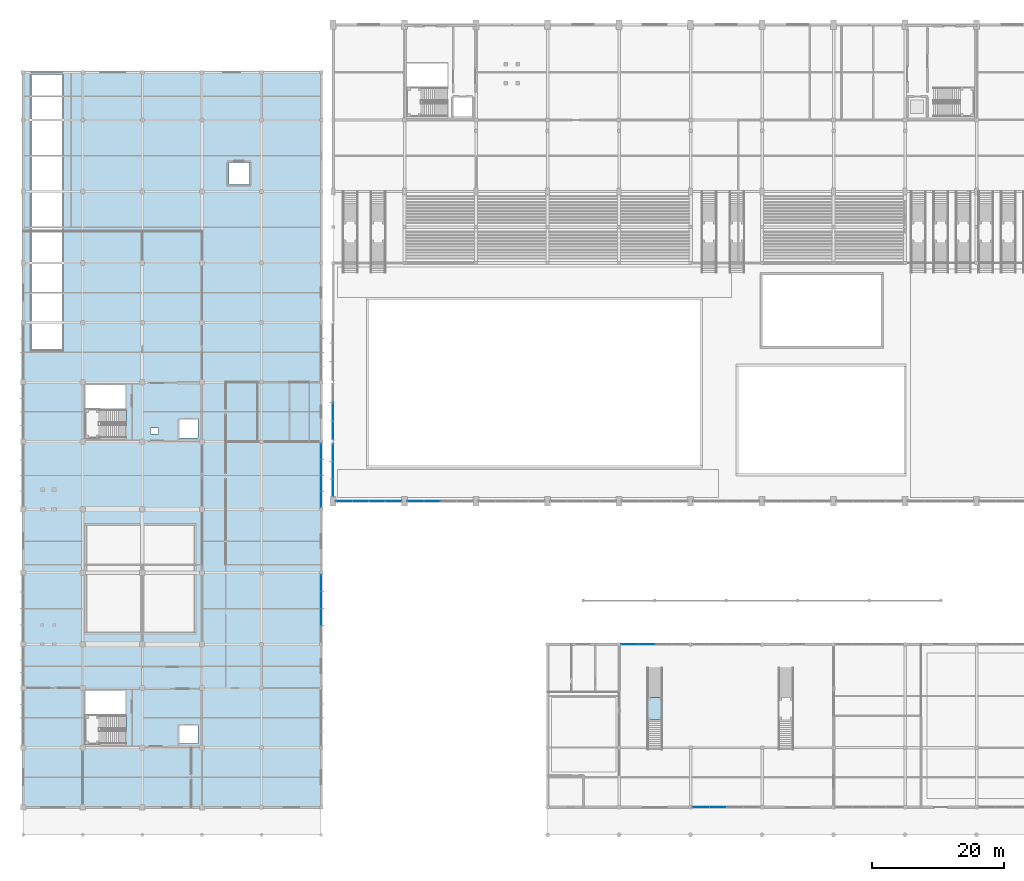
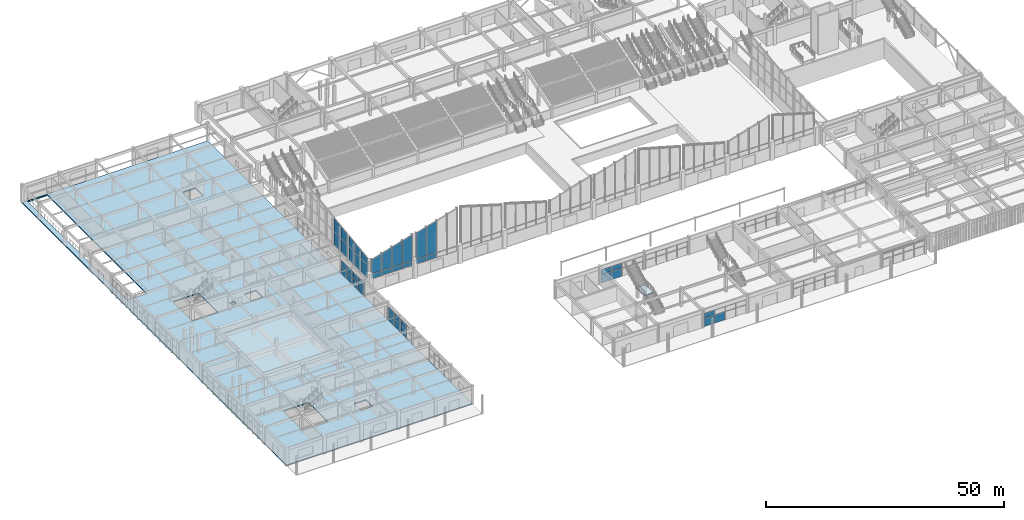
# One storey, part 40 of 82: 43 plates, 2 slabs, 9 elements without a shape of their own.
"""IFC4 building model written with IfcOpenShell, lengths in metres."""

from ifc_helpers import new_model, si_unit, direction, frame, origin, place, context, subcontext, project, spatial, polyline, outline, extrude, material, layer, layer_set, type_object, element, aggregate, save


model = new_model("IFC4")

# Units and contexts
model_context = context("Model", 3, precision=1e-05, world=origin(), true_north=direction((0.0, 1.0)))
body_context = subcontext(model_context, "Body", "Model", "MODEL_VIEW")
ifc_project = project(units=[si_unit("LENGTHUNIT", "METRE"), si_unit("AREAUNIT", "SQUARE_METRE"), si_unit("VOLUMEUNIT", "CUBIC_METRE"), si_unit("PLANEANGLEUNIT", "RADIAN"), si_unit("MASSUNIT", "GRAM", prefix="KILO")], contexts=[model_context])

# Site, building, storey
site_placement = place(None, origin())
site = spatial("IfcSite", under=ifc_project, at=site_placement, CompositionType="ELEMENT")
building_placement = place(site_placement, origin())
building = spatial("IfcBuilding", under=site, at=building_placement, Name="Suirenkawa Promenade Aquatics Centre", CompositionType="ELEMENT")
storey_placement = place(building_placement, origin())
storey = spatial("IfcBuildingStorey", under=building, at=storey_placement, Name="L00", CompositionType="ELEMENT", Elevation=0.0)

# Curtain wall, plates
ifc_material_1 = material(Name="Anodised aluminium 6063-T6", Category="aluminium")
curtain_wall_type_1 = type_object("IfcCurtainWallType", Name="CWAT-CLERS-05", PredefinedType="NOTDEFINED", material=ifc_material_1)
curtain_wall_1_placement = place(storey_placement, origin())
curtain_wall_1 = element("IfcCurtainWall", 1, at=curtain_wall_1_placement, inside=storey, type_object=curtain_wall_type_1, Name="Curtain wall CWA-05 CW-009", PredefinedType="NOTDEFINED")
ifc_material_2 = material(Name="Ceramic-fritted low-SHGC double glazing", Category="glass")
ifc_layer_1 = layer(ifc_material_2, 0.031982421875, Name="Ceramic-fritted low-SHGC double glazing", Category="glass")
ifc_layer_set_1 = layer_set([ifc_layer_1], Name="Ceramic-fritted low-SHGC double glazing")
plate_type_1 = type_object("IfcPlateType", Name="CWP-CLER-32", PredefinedType="CURTAIN_PANEL", material=ifc_layer_set_1)
plate_1_placement = place(storey_placement, frame((57.15087890625, 50.39990234375, 3.139892578125), z_axis=(0.0, 0.0, 1.0), x_axis=(-1.0, 0.0, 0.0)))
plate_1 = element("IfcPlate", 2, at=plate_1_placement, type_object=plate_type_1, Name="Glazed panel CP-03 CWP-00220", PredefinedType="CURTAIN_PANEL", context=body_context, shape_type="SweptSolid", body=[
    extrude(outline(polyline([(0.0400390625, 0.0), (2.435546875, 0.0), (2.435546875, 1.22021484375), (0.0400390625, 1.22021484375), (0.0400390625, 0.0)])), frame((0.0, 0.01611328125, 0.0), z_axis=(0.0, -1.0, 0.0), x_axis=(1.0, 0.0, 0.0)), (0.0, 0.0, 1.0), 0.031982421875),
])
plate_2_placement = place(storey_placement, frame((57.15087890625, 50.39990234375, 4.43994140625), z_axis=(0.0, 0.0, 1.0), x_axis=(-1.0, 0.0, 0.0)))
plate_2 = element("IfcPlate", 3, at=plate_2_placement, type_object=plate_type_1, Name="Top glazed panel CP-03 CWP-00221", PredefinedType="CURTAIN_PANEL", context=body_context, shape_type="SweptSolid", body=[
    extrude(outline(polyline([(0.0400390625, 0.0), (2.435546875, 0.0), (2.435546875, 5.820068359375), (0.0400390625, 6.570068359375), (0.0400390625, 0.0)])), frame((0.0, 0.01611328125, 0.0), z_axis=(0.0, -1.0, 0.0), x_axis=(1.0, 0.0, 0.0)), (0.0, 0.0, 1.0), 0.031982421875),
])
plate_3_placement = place(storey_placement, frame((54.675537109375, 50.39990234375, 3.139892578125), z_axis=(0.0, 0.0, 1.0), x_axis=(-1.0, 0.0, 0.0)))
plate_3 = element("IfcPlate", 4, at=plate_3_placement, type_object=plate_type_1, Name="Glazed panel CP-03 CWP-00222", PredefinedType="CURTAIN_PANEL", context=body_context, shape_type="SweptSolid", body=[
    extrude(outline(polyline([(0.0400390625, 0.0), (2.435546875, 0.0), (2.435546875, 1.22021484375), (0.0400390625, 1.22021484375), (0.0400390625, 0.0)])), frame((0.0, 0.01611328125, 0.0), z_axis=(0.0, -1.0, 0.0), x_axis=(1.0, 0.0, 0.0)), (0.0, 0.0, 1.0), 0.031982421875),
])
plate_4_placement = place(storey_placement, frame((54.675537109375, 50.39990234375, 4.43994140625), z_axis=(0.0, 0.0, 1.0), x_axis=(-1.0, 0.0, 0.0)))
plate_4 = element("IfcPlate", 5, at=plate_4_placement, type_object=plate_type_1, Name="Top glazed panel CP-03 CWP-00223", PredefinedType="CURTAIN_PANEL", context=body_context, shape_type="SweptSolid", body=[
    extrude(outline(polyline([(0.0400390625, 0.0), (2.435546875, 0.0), (2.435546875, 5.070068359375), (0.0400390625, 5.820068359375), (0.0400390625, 0.0)])), frame((0.0, 0.01611328125, 0.0), z_axis=(0.0, -1.0, 0.0), x_axis=(1.0, 0.0, 0.0)), (0.0, 0.0, 1.0), 0.031982421875),
])
plate_5_placement = place(storey_placement, frame((52.199951171875, 50.39990234375, 3.139892578125), z_axis=(0.0, 0.0, 1.0), x_axis=(-1.0, 0.0, 0.0)))
plate_5 = element("IfcPlate", 6, at=plate_5_placement, type_object=plate_type_1, Name="Glazed panel CP-03 CWP-00224", PredefinedType="CURTAIN_PANEL", context=body_context, shape_type="SweptSolid", body=[
    extrude(outline(polyline([(0.0400390625, 0.0), (2.435546875, 0.0), (2.435546875, 1.22021484375), (0.0400390625, 1.22021484375), (0.0400390625, 0.0)])), frame((0.0, 0.01611328125, 0.0), z_axis=(0.0, -1.0, 0.0), x_axis=(1.0, 0.0, 0.0)), (0.0, 0.0, 1.0), 0.031982421875),
])
plate_6_placement = place(storey_placement, frame((52.199951171875, 50.39990234375, 4.43994140625), z_axis=(0.0, 0.0, 1.0), x_axis=(-1.0, 0.0, 0.0)))
plate_6 = element("IfcPlate", 7, at=plate_6_placement, type_object=plate_type_1, Name="Top glazed panel CP-03 CWP-00225", PredefinedType="CURTAIN_PANEL", context=body_context, shape_type="SweptSolid", body=[
    extrude(outline(polyline([(0.0400390625, 0.0), (2.435546875, 0.0), (2.435546875, 4.320068359375), (0.0400390625, 5.070068359375), (0.0400390625, 0.0)])), frame((0.0, 0.01611328125, 0.0), z_axis=(0.0, -1.0, 0.0), x_axis=(1.0, 0.0, 0.0)), (0.0, 0.0, 1.0), 0.031982421875),
])
plate_7_placement = place(storey_placement, frame((49.724609375, 50.39990234375, 3.139892578125), z_axis=(0.0, 0.0, 1.0), x_axis=(-1.0, 0.0, 0.0)))
plate_7 = element("IfcPlate", 8, at=plate_7_placement, type_object=plate_type_1, Name="Glazed panel CP-03 CWP-00226", PredefinedType="CURTAIN_PANEL", context=body_context, shape_type="SweptSolid", body=[
    extrude(outline(polyline([(0.0400390625, 0.0), (2.435546875, 0.0), (2.435546875, 1.22021484375), (0.0400390625, 1.22021484375), (0.0400390625, 0.0)])), frame((0.0, 0.01611328125, 0.0), z_axis=(0.0, -1.0, 0.0), x_axis=(1.0, 0.0, 0.0)), (0.0, 0.0, 1.0), 0.031982421875),
])
plate_8_placement = place(storey_placement, frame((49.724609375, 50.39990234375, 4.43994140625), z_axis=(0.0, 0.0, 1.0), x_axis=(-1.0, 0.0, 0.0)))
plate_8 = element("IfcPlate", 9, at=plate_8_placement, type_object=plate_type_1, Name="Top glazed panel CP-03 CWP-00227", PredefinedType="CURTAIN_PANEL", context=body_context, shape_type="SweptSolid", body=[
    extrude(outline(polyline([(0.0400390625, 0.0), (2.435546875, 0.0), (2.435546875, 3.570068359375), (0.0400390625, 4.320068359375), (0.0400390625, 0.0)])), frame((0.0, 0.01611328125, 0.0), z_axis=(0.0, -1.0, 0.0), x_axis=(1.0, 0.0, 0.0)), (0.0, 0.0, 1.0), 0.031982421875),
])
aggregate(curtain_wall_1, [plate_1, plate_2, plate_3, plate_4, plate_5, plate_6, plate_7, plate_8])

curtain_wall_type_2 = type_object("IfcCurtainWallType", Name="CWAT-CLERS-08", PredefinedType="NOTDEFINED", material=ifc_material_1)
curtain_wall_2_placement = place(storey_placement, origin())
curtain_wall_2 = element("IfcCurtainWall", 10, at=curtain_wall_2_placement, inside=storey, type_object=curtain_wall_type_2, Name="Curtain wall CWA-08 CW-012", PredefinedType="NOTDEFINED")
plate_9_placement = place(storey_placement, frame((63.0, 50.39990234375, 3.139892578125), z_axis=(0.0, 0.0, 1.0), x_axis=(-1.0, 0.0, 0.0)))
plate_9 = element("IfcPlate", 11, at=plate_9_placement, type_object=plate_type_1, Name="Glazed panel CP-03 CWP-00284", PredefinedType="CURTAIN_PANEL", context=body_context, shape_type="SweptSolid", body=[
    extrude(outline(polyline([(0.0400390625, 0.0), (2.435546875, 0.0), (2.435546875, 1.22021484375), (0.0400390625, 1.22021484375), (0.0400390625, 0.0)])), frame((0.0, 0.01611328125, 0.0), z_axis=(0.0, -1.0, 0.0), x_axis=(1.0, 0.0, 0.0)), (0.0, 0.0, 1.0), 0.031982421875),
])
plate_10_placement = place(storey_placement, frame((63.0, 50.39990234375, 4.43994140625), z_axis=(0.0, 0.0, 1.0), x_axis=(-1.0, 0.0, 0.0)))
plate_10 = element("IfcPlate", 12, at=plate_10_placement, type_object=plate_type_1, Name="Top glazed panel CP-03 CWP-00285", PredefinedType="CURTAIN_PANEL", context=body_context, shape_type="SweptSolid", body=[
    extrude(outline(polyline([(0.0400390625, 0.0), (2.435546875, 0.0), (2.435546875, 7.320068359375), (0.0400390625, 8.070068359375), (0.0400390625, 0.0)])), frame((0.0, 0.01611328125, 0.0), z_axis=(0.0, -1.0, 0.0), x_axis=(1.0, 0.0, 0.0)), (0.0, 0.0, 1.0), 0.031982421875),
])
plate_11_placement = place(storey_placement, frame((60.5244140625, 50.39990234375, 3.139892578125), z_axis=(0.0, 0.0, 1.0), x_axis=(-1.0, 0.0, 0.0)))
plate_11 = element("IfcPlate", 13, at=plate_11_placement, type_object=plate_type_1, Name="Glazed panel CP-03 CWP-00286", PredefinedType="CURTAIN_PANEL", context=body_context, shape_type="SweptSolid", body=[
    extrude(outline(polyline([(0.0400390625, 0.0), (2.435546875, 0.0), (2.435546875, 1.22021484375), (0.0400390625, 1.22021484375), (0.0400390625, 0.0)])), frame((0.0, 0.01611328125, 0.0), z_axis=(0.0, -1.0, 0.0), x_axis=(1.0, 0.0, 0.0)), (0.0, 0.0, 1.0), 0.031982421875),
])
plate_12_placement = place(storey_placement, frame((60.5244140625, 50.39990234375, 4.43994140625), z_axis=(0.0, 0.0, 1.0), x_axis=(-1.0, 0.0, 0.0)))
plate_12 = element("IfcPlate", 14, at=plate_12_placement, type_object=plate_type_1, Name="Top glazed panel CP-03 CWP-00287", PredefinedType="CURTAIN_PANEL", context=body_context, shape_type="SweptSolid", body=[
    extrude(outline(polyline([(0.0400390625, 0.0), (2.435546875, 0.0), (2.435546875, 6.570068359375), (0.0400390625, 7.320068359375), (0.0400390625, 0.0)])), frame((0.0, 0.01611328125, 0.0), z_axis=(0.0, -1.0, 0.0), x_axis=(1.0, 0.0, 0.0)), (0.0, 0.0, 1.0), 0.031982421875),
])
aggregate(curtain_wall_2, [plate_9, plate_10, plate_11, plate_12])

curtain_wall_type_3 = type_object("IfcCurtainWallType", Name="CWAT-V3NL0-26", PredefinedType="NOTDEFINED", material=ifc_material_1)
curtain_wall_3_placement = place(storey_placement, origin())
curtain_wall_3 = element("IfcCurtainWall", 15, at=curtain_wall_3_placement, inside=storey, type_object=curtain_wall_type_3, Name="Curtain wall CWA-26 CW-058", PredefinedType="NOTDEFINED")
ifc_material_3 = material(Name="Low-E thermally broken double glazing", Category="glass")
ifc_layer_2 = layer(ifc_material_3, 0.0419921875, Name="Low-E thermally broken double glazing", Category="glass")
ifc_layer_set_2 = layer_set([ifc_layer_2], Name="Low-E thermally broken double glazing")
plate_type_2 = type_object("IfcPlateType", Name="CWP-FOYER-42", PredefinedType="CURTAIN_PANEL", material=ifc_layer_set_2)
plate_13_placement = place(storey_placement, frame((90.299072265625, 28.800048828125, 0.0400390625), z_axis=(0.0, 0.0, 1.0), x_axis=(1.0, 0.0, 0.0)))
plate_13 = element("IfcPlate", 16, at=plate_13_placement, type_object=plate_type_2, Name="Glazed panel CP-04 CWP-01159", PredefinedType="CURTAIN_PANEL", context=body_context, shape_type="SweptSolid", body=[
    extrude(outline(polyline([(0.0400390625, 0.0), (2.510498046875, 0.0), (2.510498046875, 2.119873046875), (0.0400390625, 2.119873046875), (0.0400390625, 0.0)])), frame((0.0, 0.02099609375, 0.0), z_axis=(0.0, -1.0, 0.0), x_axis=(1.0, 0.0, 0.0)), (0.0, 0.0, 1.0), 0.0419921875),
])
plate_14_placement = place(storey_placement, frame((90.299072265625, 28.800048828125, 2.239990234375), z_axis=(0.0, 0.0, 1.0), x_axis=(1.0, 0.0, 0.0)))
plate_14 = element("IfcPlate", 17, at=plate_14_placement, type_object=plate_type_2, Name="Top glazed panel CP-04 CWP-01160", PredefinedType="CURTAIN_PANEL", context=body_context, shape_type="SweptSolid", body=[
    extrude(outline(polyline([(0.0400390625, 0.0), (2.510498046875, 0.0), (2.510498046875, 1.239990234375), (0.0400390625, 1.239990234375), (0.0400390625, 0.0)])), frame((0.0, 0.02099609375, 0.0), z_axis=(0.0, -1.0, 0.0), x_axis=(1.0, 0.0, 0.0)), (0.0, 0.0, 1.0), 0.0419921875),
])
plate_15_placement = place(storey_placement, frame((92.849609375, 28.800048828125, 0.0400390625), z_axis=(0.0, 0.0, 1.0), x_axis=(1.0, 0.0, 0.0)))
plate_15 = element("IfcPlate", 18, at=plate_15_placement, type_object=plate_type_2, Name="Glazed panel CP-04 CWP-01161", PredefinedType="CURTAIN_PANEL", context=body_context, shape_type="SweptSolid", body=[
    extrude(outline(polyline([(0.0400390625, 0.0), (2.510498046875, 0.0), (2.510498046875, 2.119873046875), (0.0400390625, 2.119873046875), (0.0400390625, 0.0)])), frame((0.0, 0.02099609375, 0.0), z_axis=(0.0, -1.0, 0.0), x_axis=(1.0, 0.0, 0.0)), (0.0, 0.0, 1.0), 0.0419921875),
])
plate_16_placement = place(storey_placement, frame((92.849609375, 28.800048828125, 2.239990234375), z_axis=(0.0, 0.0, 1.0), x_axis=(1.0, 0.0, 0.0)))
plate_16 = element("IfcPlate", 19, at=plate_16_placement, type_object=plate_type_2, Name="Top glazed panel CP-04 CWP-01162", PredefinedType="CURTAIN_PANEL", context=body_context, shape_type="SweptSolid", body=[
    extrude(outline(polyline([(0.0400390625, 0.0), (2.510498046875, 0.0), (2.510498046875, 1.239990234375), (0.0400390625, 1.239990234375), (0.0400390625, 0.0)])), frame((0.0, 0.02099609375, 0.0), z_axis=(0.0, -1.0, 0.0), x_axis=(1.0, 0.0, 0.0)), (0.0, 0.0, 1.0), 0.0419921875),
])
aggregate(curtain_wall_3, [plate_13, plate_14, plate_15, plate_16])

curtain_wall_type_4 = type_object("IfcCurtainWallType", Name="CWAT-V3SL0-27", PredefinedType="NOTDEFINED", material=ifc_material_1)
curtain_wall_4_placement = place(storey_placement, origin())
curtain_wall_4 = element("IfcCurtainWall", 20, at=curtain_wall_4_placement, inside=storey, type_object=curtain_wall_type_4, Name="Curtain wall CWA-27 CW-061", PredefinedType="NOTDEFINED")
plate_17_placement = place(storey_placement, frame((106.199951171875, 4.199951171875, 0.0400390625), z_axis=(0.0, 0.0, 1.0), x_axis=(-1.0, 0.0, 0.0)))
plate_17 = element("IfcPlate", 21, at=plate_17_placement, type_object=plate_type_2, Name="Glazed panel CP-04 CWP-01229", PredefinedType="CURTAIN_PANEL", context=body_context, shape_type="SweptSolid", body=[
    extrude(outline(polyline([(0.0400390625, 0.0), (2.510498046875, 0.0), (2.510498046875, 2.119873046875), (0.0400390625, 2.119873046875), (0.0400390625, 0.0)])), frame((0.0, 0.02099609375, 0.0), z_axis=(0.0, -1.0, 0.0), x_axis=(1.0, 0.0, 0.0)), (0.0, 0.0, 1.0), 0.0419921875),
])
plate_18_placement = place(storey_placement, frame((103.6494140625, 4.199951171875, 0.0400390625), z_axis=(0.0, 0.0, 1.0), x_axis=(-1.0, 0.0, 0.0)))
plate_18 = element("IfcPlate", 22, at=plate_18_placement, type_object=plate_type_2, Name="Glazed panel CP-04 CWP-01231", PredefinedType="CURTAIN_PANEL", context=body_context, shape_type="SweptSolid", body=[
    extrude(outline(polyline([(0.0400390625, 0.0), (2.510498046875, 0.0), (2.510498046875, 2.119873046875), (0.0400390625, 2.119873046875), (0.0400390625, 0.0)])), frame((0.0, 0.02099609375, 0.0), z_axis=(0.0, -1.0, 0.0), x_axis=(1.0, 0.0, 0.0)), (0.0, 0.0, 1.0), 0.0419921875),
])
plate_19_placement = place(storey_placement, frame((103.6494140625, 4.199951171875, 2.239990234375), z_axis=(0.0, 0.0, 1.0), x_axis=(-1.0, 0.0, 0.0)))
plate_19 = element("IfcPlate", 23, at=plate_19_placement, type_object=plate_type_2, Name="Top glazed panel CP-04 CWP-01232", PredefinedType="CURTAIN_PANEL", context=body_context, shape_type="SweptSolid", body=[
    extrude(outline(polyline([(0.0400390625, 0.0), (2.510498046875, 0.0), (2.510498046875, 1.239990234375), (0.0400390625, 1.239990234375), (0.0400390625, 0.0)])), frame((0.0, 0.02099609375, 0.0), z_axis=(0.0, -1.0, 0.0), x_axis=(1.0, 0.0, 0.0)), (0.0, 0.0, 1.0), 0.0419921875),
])
aggregate(curtain_wall_4, [plate_17, plate_18, plate_19])

curtain_wall_type_5 = type_object("IfcCurtainWallType", Name="CWAT-V5EL00-46", PredefinedType="NOTDEFINED", material=ifc_material_1)
curtain_wall_5_placement = place(storey_placement, origin())
curtain_wall_5 = element("IfcCurtainWall", 24, at=curtain_wall_5_placement, inside=storey, type_object=curtain_wall_type_5, Name="Curtain wall CWA-46 CW-089", PredefinedType="NOTDEFINED")
ifc_layer_3 = layer(ifc_material_3, 0.028076171875, Name="Low-E thermally broken double glazing", Category="glass")
ifc_layer_set_3 = layer_set([ifc_layer_3], Name="Low-E thermally broken double glazing")
plate_type_3 = type_object("IfcPlateType", Name="CWP-LOWE-28", PredefinedType="CURTAIN_PANEL", material=ifc_layer_set_3)
plate_20_placement = place(storey_placement, frame((45.0, 39.301025390625, 0.0400390625), z_axis=(0.0, 0.0, 1.0), x_axis=(0.0, -1.0, 0.0)))
plate_20 = element("IfcPlate", 25, at=plate_20_placement, type_object=plate_type_3, Name="Glazed panel CP-02 CWP-01766", PredefinedType="CURTAIN_PANEL", context=body_context, shape_type="SweptSolid", body=[
    extrude(outline(polyline([(0.0400390625, 0.0), (2.510498046875, 0.0), (2.510498046875, 1.869873046875), (0.0400390625, 1.869873046875), (0.0400390625, 0.0)])), frame((0.0, 0.01416015625, 0.0), z_axis=(0.0, -1.0, 0.0), x_axis=(1.0, 0.0, 0.0)), (0.0, 0.0, 1.0), 0.028076171875),
])
plate_21_placement = place(storey_placement, frame((45.0, 39.301025390625, 1.989990234375), z_axis=(0.0, 0.0, 1.0), x_axis=(0.0, -1.0, 0.0)))
plate_21 = element("IfcPlate", 26, at=plate_21_placement, type_object=plate_type_3, Name="Top glazed panel CP-02 CWP-01767", PredefinedType="CURTAIN_PANEL", context=body_context, shape_type="SweptSolid", body=[
    extrude(outline(polyline([(0.0400390625, 0.0), (2.510498046875, 0.0), (2.510498046875, 1.5400390625), (0.0400390625, 1.5400390625), (0.0400390625, 0.0)])), frame((0.0, 0.01416015625, 0.0), z_axis=(0.0, -1.0, 0.0), x_axis=(1.0, 0.0, 0.0)), (0.0, 0.0, 1.0), 0.028076171875),
])
plate_22_placement = place(storey_placement, frame((45.0, 36.75048828125, 0.0400390625), z_axis=(0.0, 0.0, 1.0), x_axis=(0.0, -1.0, 0.0)))
plate_22 = element("IfcPlate", 27, at=plate_22_placement, type_object=plate_type_3, Name="Glazed panel CP-02 CWP-01768", PredefinedType="CURTAIN_PANEL", context=body_context, shape_type="SweptSolid", body=[
    extrude(outline(polyline([(0.0400390625, 0.0), (2.510498046875, 0.0), (2.510498046875, 1.869873046875), (0.0400390625, 1.869873046875), (0.0400390625, 0.0)])), frame((0.0, 0.01416015625, 0.0), z_axis=(0.0, -1.0, 0.0), x_axis=(1.0, 0.0, 0.0)), (0.0, 0.0, 1.0), 0.028076171875),
])
plate_23_placement = place(storey_placement, frame((45.0, 36.75048828125, 1.989990234375), z_axis=(0.0, 0.0, 1.0), x_axis=(0.0, -1.0, 0.0)))
plate_23 = element("IfcPlate", 28, at=plate_23_placement, type_object=plate_type_3, Name="Top glazed panel CP-02 CWP-01769", PredefinedType="CURTAIN_PANEL", context=body_context, shape_type="SweptSolid", body=[
    extrude(outline(polyline([(0.0400390625, 0.0), (2.510498046875, 0.0), (2.510498046875, 1.5400390625), (0.0400390625, 1.5400390625), (0.0400390625, 0.0)])), frame((0.0, 0.01416015625, 0.0), z_axis=(0.0, -1.0, 0.0), x_axis=(1.0, 0.0, 0.0)), (0.0, 0.0, 1.0), 0.028076171875),
])
plate_24_placement = place(storey_placement, frame((45.0, 34.199951171875, 0.0400390625), z_axis=(0.0, 0.0, 1.0), x_axis=(0.0, -1.0, 0.0)))
plate_24 = element("IfcPlate", 29, at=plate_24_placement, type_object=plate_type_3, Name="Glazed panel CP-02 CWP-01770", PredefinedType="CURTAIN_PANEL", context=body_context, shape_type="SweptSolid", body=[
    extrude(outline(polyline([(0.0400390625, 0.0), (2.510498046875, 0.0), (2.510498046875, 1.869873046875), (0.0400390625, 1.869873046875), (0.0400390625, 0.0)])), frame((0.0, 0.01416015625, 0.0), z_axis=(0.0, -1.0, 0.0), x_axis=(1.0, 0.0, 0.0)), (0.0, 0.0, 1.0), 0.028076171875),
])
plate_25_placement = place(storey_placement, frame((45.0, 34.199951171875, 1.989990234375), z_axis=(0.0, 0.0, 1.0), x_axis=(0.0, -1.0, 0.0)))
plate_25 = element("IfcPlate", 30, at=plate_25_placement, type_object=plate_type_3, Name="Top glazed panel CP-02 CWP-01771", PredefinedType="CURTAIN_PANEL", context=body_context, shape_type="SweptSolid", body=[
    extrude(outline(polyline([(0.0400390625, 0.0), (2.510498046875, 0.0), (2.510498046875, 1.5400390625), (0.0400390625, 1.5400390625), (0.0400390625, 0.0)])), frame((0.0, 0.01416015625, 0.0), z_axis=(0.0, -1.0, 0.0), x_axis=(1.0, 0.0, 0.0)), (0.0, 0.0, 1.0), 0.028076171875),
])
aggregate(curtain_wall_5, [plate_20, plate_21, plate_22, plate_23, plate_24, plate_25])

curtain_wall_type_6 = type_object("IfcCurtainWallType", Name="CWAT-V5EL00-48", PredefinedType="NOTDEFINED", material=ifc_material_1)
curtain_wall_6_placement = place(storey_placement, origin())
curtain_wall_6 = element("IfcCurtainWall", 31, at=curtain_wall_6_placement, inside=storey, type_object=curtain_wall_type_6, Name="Curtain wall CWA-48 CW-091", PredefinedType="NOTDEFINED")
plate_26_placement = place(storey_placement, frame((45.0, 59.10107421875, 0.0400390625), z_axis=(0.0, 0.0, 1.0), x_axis=(0.0, -1.0, 0.0)))
plate_26 = element("IfcPlate", 32, at=plate_26_placement, type_object=plate_type_3, Name="Glazed panel CP-02 CWP-01810", PredefinedType="CURTAIN_PANEL", context=body_context, shape_type="SweptSolid", body=[
    extrude(outline(polyline([(0.0400390625, 0.0), (2.360595703125, 0.0), (2.360595703125, 1.869873046875), (0.0400390625, 1.869873046875), (0.0400390625, 0.0)])), frame((0.0, 0.01416015625, 0.0), z_axis=(0.0, -1.0, 0.0), x_axis=(1.0, 0.0, 0.0)), (0.0, 0.0, 1.0), 0.028076171875),
])
plate_27_placement = place(storey_placement, frame((45.0, 59.10107421875, 1.989990234375), z_axis=(0.0, 0.0, 1.0), x_axis=(0.0, -1.0, 0.0)))
plate_27 = element("IfcPlate", 33, at=plate_27_placement, type_object=plate_type_3, Name="Top glazed panel CP-02 CWP-01811", PredefinedType="CURTAIN_PANEL", context=body_context, shape_type="SweptSolid", body=[
    extrude(outline(polyline([(0.0400390625, 0.0), (2.360595703125, 0.0), (2.360595703125, 1.5400390625), (0.0400390625, 1.5400390625), (0.0400390625, 0.0)])), frame((0.0, 0.01416015625, 0.0), z_axis=(0.0, -1.0, 0.0), x_axis=(1.0, 0.0, 0.0)), (0.0, 0.0, 1.0), 0.028076171875),
])
plate_28_placement = place(storey_placement, frame((45.0, 56.700439453125, 0.0400390625), z_axis=(0.0, 0.0, 1.0), x_axis=(0.0, -1.0, 0.0)))
plate_28 = element("IfcPlate", 34, at=plate_28_placement, type_object=plate_type_3, Name="Glazed panel CP-02 CWP-01812", PredefinedType="CURTAIN_PANEL", context=body_context, shape_type="SweptSolid", body=[
    extrude(outline(polyline([(0.0400390625, 0.0), (2.360595703125, 0.0), (2.360595703125, 1.869873046875), (0.0400390625, 1.869873046875), (0.0400390625, 0.0)])), frame((0.0, 0.01416015625, 0.0), z_axis=(0.0, -1.0, 0.0), x_axis=(1.0, 0.0, 0.0)), (0.0, 0.0, 1.0), 0.028076171875),
])
plate_29_placement = place(storey_placement, frame((45.0, 56.700439453125, 1.989990234375), z_axis=(0.0, 0.0, 1.0), x_axis=(0.0, -1.0, 0.0)))
plate_29 = element("IfcPlate", 35, at=plate_29_placement, type_object=plate_type_3, Name="Top glazed panel CP-02 CWP-01813", PredefinedType="CURTAIN_PANEL", context=body_context, shape_type="SweptSolid", body=[
    extrude(outline(polyline([(0.0400390625, 0.0), (2.360595703125, 0.0), (2.360595703125, 1.5400390625), (0.0400390625, 1.5400390625), (0.0400390625, 0.0)])), frame((0.0, 0.01416015625, 0.0), z_axis=(0.0, -1.0, 0.0), x_axis=(1.0, 0.0, 0.0)), (0.0, 0.0, 1.0), 0.028076171875),
])
plate_30_placement = place(storey_placement, frame((45.0, 54.300048828125, 0.0400390625), z_axis=(0.0, 0.0, 1.0), x_axis=(0.0, -1.0, 0.0)))
plate_30 = element("IfcPlate", 36, at=plate_30_placement, type_object=plate_type_3, Name="Glazed panel CP-02 CWP-01814", PredefinedType="CURTAIN_PANEL", context=body_context, shape_type="SweptSolid", body=[
    extrude(outline(polyline([(0.0400390625, 0.0), (2.360595703125, 0.0), (2.360595703125, 1.869873046875), (0.0400390625, 1.869873046875), (0.0400390625, 0.0)])), frame((0.0, 0.01416015625, 0.0), z_axis=(0.0, -1.0, 0.0), x_axis=(1.0, 0.0, 0.0)), (0.0, 0.0, 1.0), 0.028076171875),
])
plate_31_placement = place(storey_placement, frame((45.0, 54.300048828125, 1.989990234375), z_axis=(0.0, 0.0, 1.0), x_axis=(0.0, -1.0, 0.0)))
plate_31 = element("IfcPlate", 37, at=plate_31_placement, type_object=plate_type_3, Name="Top glazed panel CP-02 CWP-01815", PredefinedType="CURTAIN_PANEL", context=body_context, shape_type="SweptSolid", body=[
    extrude(outline(polyline([(0.0400390625, 0.0), (2.360595703125, 0.0), (2.360595703125, 1.5400390625), (0.0400390625, 1.5400390625), (0.0400390625, 0.0)])), frame((0.0, 0.01416015625, 0.0), z_axis=(0.0, -1.0, 0.0), x_axis=(1.0, 0.0, 0.0)), (0.0, 0.0, 1.0), 0.028076171875),
])
plate_32_placement = place(storey_placement, frame((45.0, 51.8994140625, 0.0400390625), z_axis=(0.0, 0.0, 1.0), x_axis=(0.0, -1.0, 0.0)))
plate_32 = element("IfcPlate", 38, at=plate_32_placement, type_object=plate_type_3, Name="Glazed panel CP-02 CWP-01816", PredefinedType="CURTAIN_PANEL", context=body_context, shape_type="SweptSolid", body=[
    extrude(outline(polyline([(0.0400390625, 0.0), (2.360595703125, 0.0), (2.360595703125, 1.869873046875), (0.0400390625, 1.869873046875), (0.0400390625, 0.0)])), frame((0.0, 0.01416015625, 0.0), z_axis=(0.0, -1.0, 0.0), x_axis=(1.0, 0.0, 0.0)), (0.0, 0.0, 1.0), 0.028076171875),
])
plate_33_placement = place(storey_placement, frame((45.0, 51.8994140625, 1.989990234375), z_axis=(0.0, 0.0, 1.0), x_axis=(0.0, -1.0, 0.0)))
plate_33 = element("IfcPlate", 39, at=plate_33_placement, type_object=plate_type_3, Name="Top glazed panel CP-02 CWP-01817", PredefinedType="CURTAIN_PANEL", context=body_context, shape_type="SweptSolid", body=[
    extrude(outline(polyline([(0.0400390625, 0.0), (2.360595703125, 0.0), (2.360595703125, 1.5400390625), (0.0400390625, 1.5400390625), (0.0400390625, 0.0)])), frame((0.0, 0.01416015625, 0.0), z_axis=(0.0, -1.0, 0.0), x_axis=(1.0, 0.0, 0.0)), (0.0, 0.0, 1.0), 0.028076171875),
])
aggregate(curtain_wall_6, [plate_26, plate_27, plate_28, plate_29, plate_30, plate_31, plate_32, plate_33])

curtain_wall_type_7 = type_object("IfcCurtainWallType", Name="CWAT-GABLEV1-01", PredefinedType="NOTDEFINED", material=ifc_material_1)
curtain_wall_7_placement = place(storey_placement, origin())
curtain_wall_7 = element("IfcCurtainWall", 40, at=curtain_wall_7_placement, inside=storey, type_object=curtain_wall_type_7, Name="Curtain wall CWA-01 CW-001", PredefinedType="NOTDEFINED")
ifc_layer_4 = layer(ifc_material_2, 0.035888671875, Name="Ceramic-fritted low-SHGC double glazing", Category="glass")
ifc_layer_set_4 = layer_set([ifc_layer_4], Name="Ceramic-fritted low-SHGC double glazing")
plate_type_4 = type_object("IfcPlateType", Name="CWP-SHOJI-36", PredefinedType="CURTAIN_PANEL", material=ifc_layer_set_4)
plate_34_placement = place(storey_placement, frame((46.800048828125, 51.09912109375, 2.989990234375), z_axis=(0.0, 0.0, 1.0), x_axis=(0.0, 1.0, 0.0)))
plate_34 = element("IfcPlate", 41, at=plate_34_placement, type_object=plate_type_4, Name="Glazed panel CP-01 CWP-00012", PredefinedType="CURTAIN_PANEL", context=body_context, shape_type="SweptSolid", body=[
    extrude(outline(polyline([(0.0400390625, 0.0), (2.62744140625, 0.0), (2.62744140625, 3.3701171875), (0.0400390625, 3.3701171875), (0.0400390625, 0.0)])), frame((0.0, 0.01806640625, 0.0), z_axis=(0.0, -1.0, 0.0), x_axis=(1.0, 0.0, 0.0)), (0.0, 0.0, 1.0), 0.035888671875),
])
plate_35_placement = place(storey_placement, frame((46.800048828125, 51.09912109375, 6.43994140625), z_axis=(0.0, 0.0, 1.0), x_axis=(0.0, 1.0, 0.0)))
plate_35 = element("IfcPlate", 42, at=plate_35_placement, type_object=plate_type_4, Name="Top glazed panel CP-01 CWP-00013", PredefinedType="CURTAIN_PANEL", context=body_context, shape_type="SweptSolid", body=[
    extrude(outline(polyline([(0.0400390625, 0.0), (2.62744140625, 0.0), (2.62744140625, 2.00390625), (0.0400390625, 1.66015625), (0.0400390625, 0.0)])), frame((0.0, 0.01806640625, 0.0), z_axis=(0.0, -1.0, 0.0), x_axis=(1.0, 0.0, 0.0)), (0.0, 0.0, 1.0), 0.035888671875),
])
plate_36_placement = place(storey_placement, frame((46.800048828125, 53.766357421875, 2.989990234375), z_axis=(0.0, 0.0, 1.0), x_axis=(0.0, 1.0, 0.0)))
plate_36 = element("IfcPlate", 43, at=plate_36_placement, type_object=plate_type_4, Name="Glazed panel CP-01 CWP-00014", PredefinedType="CURTAIN_PANEL", context=body_context, shape_type="SweptSolid", body=[
    extrude(outline(polyline([(0.0400390625, 0.0), (2.62744140625, 0.0), (2.62744140625, 3.3701171875), (0.0400390625, 3.3701171875), (0.0400390625, 0.0)])), frame((0.0, 0.01806640625, 0.0), z_axis=(0.0, -1.0, 0.0), x_axis=(1.0, 0.0, 0.0)), (0.0, 0.0, 1.0), 0.035888671875),
])
plate_37_placement = place(storey_placement, frame((46.800048828125, 53.766357421875, 6.43994140625), z_axis=(0.0, 0.0, 1.0), x_axis=(0.0, 1.0, 0.0)))
plate_37 = element("IfcPlate", 44, at=plate_37_placement, type_object=plate_type_4, Name="Top glazed panel CP-01 CWP-00015", PredefinedType="CURTAIN_PANEL", context=body_context, shape_type="SweptSolid", body=[
    extrude(outline(polyline([(0.0400390625, 0.0), (2.62744140625, 0.0), (2.62744140625, 2.34765625), (0.0400390625, 2.00390625), (0.0400390625, 0.0)])), frame((0.0, 0.01806640625, 0.0), z_axis=(0.0, -1.0, 0.0), x_axis=(1.0, 0.0, 0.0)), (0.0, 0.0, 1.0), 0.035888671875),
])
plate_38_placement = place(storey_placement, frame((46.800048828125, 56.43359375, 2.989990234375), z_axis=(0.0, 0.0, 1.0), x_axis=(0.0, 1.0, 0.0)))
plate_38 = element("IfcPlate", 45, at=plate_38_placement, type_object=plate_type_4, Name="Glazed panel CP-01 CWP-00016", PredefinedType="CURTAIN_PANEL", context=body_context, shape_type="SweptSolid", body=[
    extrude(outline(polyline([(0.0400390625, 0.0), (2.62744140625, 0.0), (2.62744140625, 3.3701171875), (0.0400390625, 3.3701171875), (0.0400390625, 0.0)])), frame((0.0, 0.01806640625, 0.0), z_axis=(0.0, -1.0, 0.0), x_axis=(1.0, 0.0, 0.0)), (0.0, 0.0, 1.0), 0.035888671875),
])
plate_39_placement = place(storey_placement, frame((46.800048828125, 56.43359375, 6.43994140625), z_axis=(0.0, 0.0, 1.0), x_axis=(0.0, 1.0, 0.0)))
plate_39 = element("IfcPlate", 46, at=plate_39_placement, type_object=plate_type_4, Name="Top glazed panel CP-01 CWP-00017", PredefinedType="CURTAIN_PANEL", context=body_context, shape_type="SweptSolid", body=[
    extrude(outline(polyline([(0.0400390625, 0.0), (2.62744140625, 0.0), (2.62744140625, 2.69140625), (0.0400390625, 2.34765625), (0.0400390625, 0.0)])), frame((0.0, 0.01806640625, 0.0), z_axis=(0.0, -1.0, 0.0), x_axis=(1.0, 0.0, 0.0)), (0.0, 0.0, 1.0), 0.035888671875),
])
aggregate(curtain_wall_7, [plate_34, plate_35, plate_36, plate_37, plate_38, plate_39])

curtain_wall_type_8 = type_object("IfcCurtainWallType", Name="CWAT-GABLEV1-02", PredefinedType="NOTDEFINED", material=ifc_material_1)
curtain_wall_8_placement = place(storey_placement, origin())
curtain_wall_8 = element("IfcCurtainWall", 47, at=curtain_wall_8_placement, inside=storey, type_object=curtain_wall_type_8, Name="Curtain wall CWA-02 CW-002", PredefinedType="NOTDEFINED")
plate_40_placement = place(storey_placement, frame((46.800048828125, 59.698974609375, 2.989990234375), z_axis=(0.0, 0.0, 1.0), x_axis=(0.0, 1.0, 0.0)))
plate_40 = element("IfcPlate", 48, at=plate_40_placement, type_object=plate_type_4, Name="Glazed panel CP-01 CWP-00029", PredefinedType="CURTAIN_PANEL", context=body_context, shape_type="SweptSolid", body=[
    extrude(outline(polyline([(0.0400390625, 0.0), (2.7607421875, 0.0), (2.7607421875, 3.3701171875), (0.0400390625, 3.3701171875), (0.0400390625, 0.0)])), frame((0.0, 0.01806640625, 0.0), z_axis=(0.0, -1.0, 0.0), x_axis=(1.0, 0.0, 0.0)), (0.0, 0.0, 1.0), 0.035888671875),
])
plate_41_placement = place(storey_placement, frame((46.800048828125, 59.698974609375, 6.43994140625), z_axis=(0.0, 0.0, 1.0), x_axis=(0.0, 1.0, 0.0)))
plate_41 = element("IfcPlate", 49, at=plate_41_placement, type_object=plate_type_4, Name="Top glazed panel CP-01 CWP-00030", PredefinedType="CURTAIN_PANEL", context=body_context, shape_type="SweptSolid", body=[
    extrude(outline(polyline([(0.0400390625, 0.0), (2.7607421875, 0.0), (2.7607421875, 3.129638671875), (0.0400390625, 2.7685546875), (0.0400390625, 0.0)])), frame((0.0, 0.01806640625, 0.0), z_axis=(0.0, -1.0, 0.0), x_axis=(1.0, 0.0, 0.0)), (0.0, 0.0, 1.0), 0.035888671875),
])
plate_42_placement = place(storey_placement, frame((46.800048828125, 62.499755859375, 2.989990234375), z_axis=(0.0, 0.0, 1.0), x_axis=(0.0, 1.0, 0.0)))
plate_42 = element("IfcPlate", 50, at=plate_42_placement, type_object=plate_type_4, Name="Glazed panel CP-01 CWP-00031", PredefinedType="CURTAIN_PANEL", context=body_context, shape_type="SweptSolid", body=[
    extrude(outline(polyline([(0.0400390625, 0.0), (2.7607421875, 0.0), (2.7607421875, 3.3701171875), (0.0400390625, 3.3701171875), (0.0400390625, 0.0)])), frame((0.0, 0.01806640625, 0.0), z_axis=(0.0, -1.0, 0.0), x_axis=(1.0, 0.0, 0.0)), (0.0, 0.0, 1.0), 0.035888671875),
])
plate_43_placement = place(storey_placement, frame((46.800048828125, 62.499755859375, 6.43994140625), z_axis=(0.0, 0.0, 1.0), x_axis=(0.0, 1.0, 0.0)))
plate_43 = element("IfcPlate", 51, at=plate_43_placement, type_object=plate_type_4, Name="Top glazed panel CP-01 CWP-00032", PredefinedType="CURTAIN_PANEL", context=body_context, shape_type="SweptSolid", body=[
    extrude(outline(polyline([(0.0400390625, 0.0), (2.7607421875, 0.0), (2.7607421875, 3.490478515625), (0.0400390625, 3.129638671875), (0.0400390625, 0.0)])), frame((0.0, 0.01806640625, 0.0), z_axis=(0.0, -1.0, 0.0), x_axis=(1.0, 0.0, 0.0)), (0.0, 0.0, 1.0), 0.035888671875),
])
aggregate(curtain_wall_8, [plate_40, plate_41, plate_42, plate_43])

# Slab
ifc_material_4 = material(Name="Concrete M40", Category="concrete")
ifc_layer_5 = layer(ifc_material_4, 0.300048828125, Name="Concrete M40", Category="concrete")
ifc_layer_set_5 = layer_set([ifc_layer_5], Name="Concrete M40")
slab_type_1 = type_object("IfcSlabType", Name="SLT-DECK-300", PredefinedType="FLOOR", material=ifc_layer_set_5)
slab_1_placement = place(storey_placement, frame((0.0, 0.0, -0.300048828125)))
element("IfcSlab", 52, at=slab_1_placement, inside=storey, type_object=slab_type_1, Name="V5 ground wellness slab SL-FLR-02 SL-0062", PredefinedType="FLOOR", context=body_context, shape_type="SweptSolid", body=[
    extrude(outline(polyline([(0.0, 4.199951171875), (45.0, 4.199951171875), (45.0, 115.199951171875), (0.0, 115.199951171875), (0.0, 4.199951171875)]), holes=[polyline([(1.199951171875, 73.199951171875), (6.0, 73.199951171875), (6.0, 114.89990234375), (1.199951171875, 114.89990234375), (1.199951171875, 73.199951171875)]), polyline([(9.360107421875, 13.56005859375), (15.5, 13.56005859375), (15.5, 21.760009765625), (9.360107421875, 21.760009765625), (9.360107421875, 13.56005859375)]), polyline([(23.60009765625, 13.800048828125), (26.39990234375, 13.800048828125), (26.39990234375, 16.60009765625), (23.60009765625, 16.60009765625), (23.60009765625, 13.800048828125)]), polyline([(9.360107421875, 59.760009765625), (15.5, 59.760009765625), (15.5, 67.9599609375), (9.360107421875, 67.9599609375), (9.360107421875, 59.760009765625)]), polyline([(23.60009765625, 60.0), (26.39990234375, 60.0), (26.39990234375, 62.800048828125), (23.60009765625, 62.800048828125), (23.60009765625, 60.0)]), polyline([(19.199951171875, 60.60009765625), (20.39990234375, 60.60009765625), (20.39990234375, 61.5), (19.199951171875, 61.5), (19.199951171875, 60.60009765625)]), polyline([(31.050048828125, 98.25), (34.14990234375, 98.25), (34.14990234375, 101.550048828125), (31.050048828125, 101.550048828125), (31.050048828125, 98.25)])]), origin(), (0.0, 0.0, 1.0), 0.300048828125),
])

# Stair, slab
stair_type = type_object("IfcStairType", Name="STT-FOYER-2600", PredefinedType="STRAIGHT_RUN_STAIR", material=ifc_material_4)
stair_placement = place(storey_placement, origin())
stair = element("IfcStair", 53, at=stair_placement, inside=storey, type_object=stair_type, Name="Grand assembly cascade stair STR-05 ST-32", PredefinedType="STRAIGHT_RUN_STAIR")
ifc_layer_6 = layer(ifc_material_4, 0.169921875, Name="Concrete M40", Category="concrete")
ifc_layer_set_6 = layer_set([ifc_layer_6], Name="Concrete M40")
slab_type_2 = type_object("IfcSlabType", Name="SLT-LANDING-170", PredefinedType="LANDING", material=ifc_layer_set_6)
slab_2_placement = place(storey_placement, frame((0.0, 0.0, 2.219970703125)))
slab_2 = element("IfcSlab", 54, at=slab_2_placement, type_object=slab_type_2, Name="Cascade landing SL-LND-01 SL-8032", PredefinedType="LANDING", context=body_context, shape_type="SweptSolid", body=[
    extrude(outline(polyline([(94.27490234375, 17.405029296875), (96.52490234375, 17.405029296875), (96.52490234375, 20.7451171875), (94.27490234375, 20.7451171875), (94.27490234375, 17.405029296875)])), origin(), (0.0, 0.0, 1.0), 0.179931640625),
])
aggregate(stair, [slab_2])

save(model, "model.ifc")
